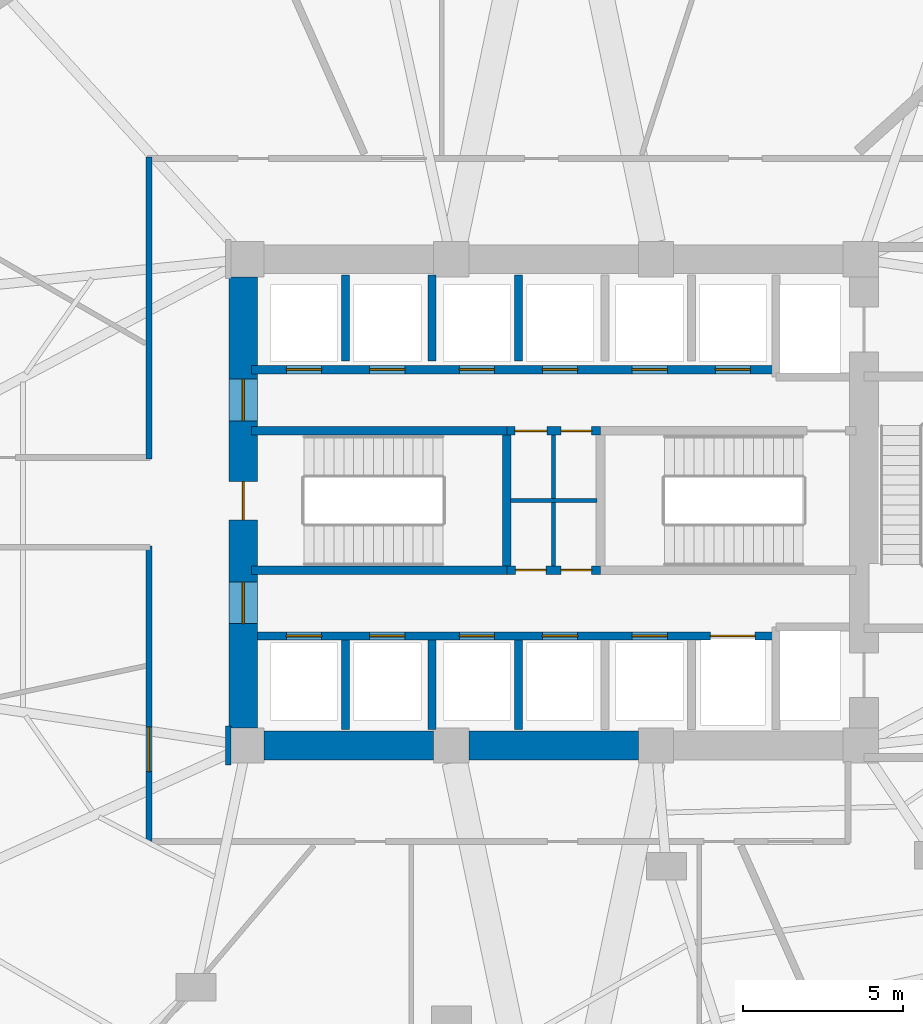
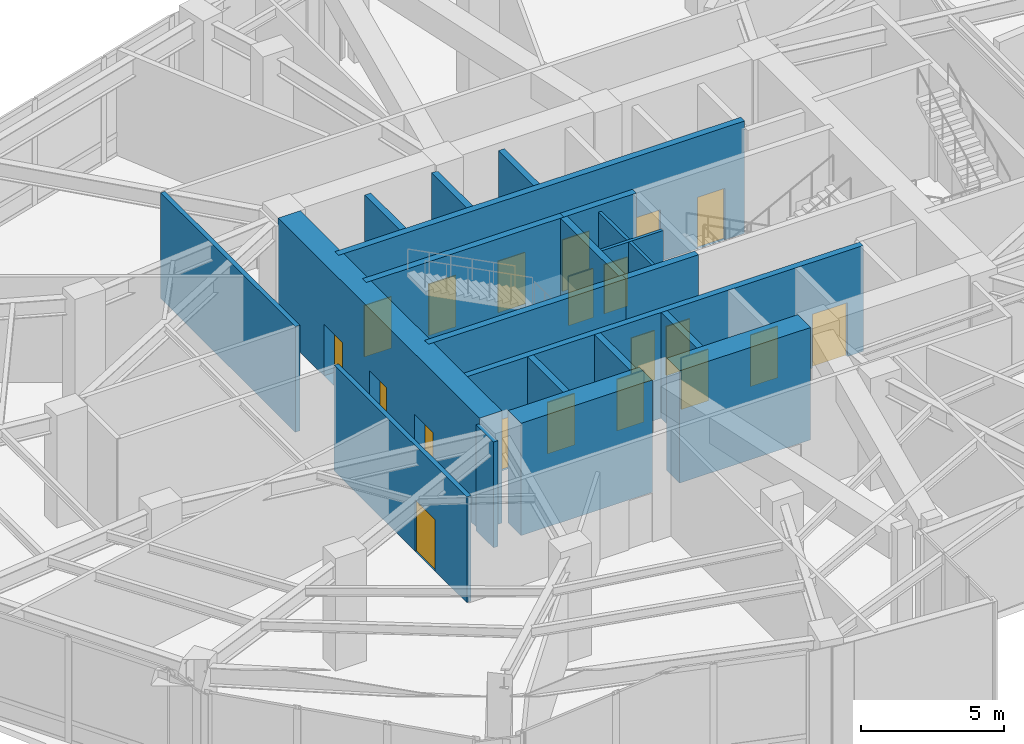
# One storey, part 21 of 24: 21 walls, 20 doors, 20 openings.
"""IFC4 building model written with IfcOpenShell, lengths in metres."""

import ifcopenshell
import ifcopenshell.guid

model = None  # the IFC model being written
_history = None  # IfcOwnerHistory: only IFC2X3 demands one
_inside = {}  # id of a spatial element -> (the spatial element, [elements in it])
_under = {}  # id of a project, library or spatial element -> (it, [spatial elements below it])
_declared = {}  # id of a project -> (the project, [libraries it declares])
_typed = {}  # id of a type object -> (the type object, [elements of that type])
_made_of = {}  # id of a material, layer set ... -> (it, [elements and type objects made of it])


def new_model(schema):
    """Start an empty IFC model of exactly this schema.

    Asked for "IFC4X3", IfcOpenShell would pick the latest addendum, in which some entities
    have other attributes; the version numbers below select the first issue.
    IFC2X3 requires an IfcOwnerHistory on every rooted entity: one is made here for all.
    """
    global model, _history
    if schema == "IFC4X3":
        model = ifcopenshell.file(schema_version=(4, 3, 0, 0))
    else:
        model = ifcopenshell.file(schema=schema)
    _inside.clear()
    _under.clear()
    _declared.clear()
    _typed.clear()
    _made_of.clear()
    _history = None
    if model.schema == "IFC2X3":
        org = make("IfcOrganization", Name="unknown")
        user = make(
            "IfcPersonAndOrganization",
            ThePerson=make("IfcPerson", FamilyName="unknown"),
            TheOrganization=org,
        )
        app = make(
            "IfcApplication",
            ApplicationDeveloper=org,
            Version="unknown",
            ApplicationFullName="unknown",
            ApplicationIdentifier="unknown",
        )
        _history = make(
            "IfcOwnerHistory",
            OwningUser=user,
            OwningApplication=app,
            ChangeAction="ADDED",
            CreationDate=0,
        )
    return model


def make(cls, **values):
    """One entity of the class cls with the attributes given. An attribute that is None is left unset."""
    return model.create_entity(
        cls, **{name: value for name, value in values.items() if value is not None}
    )


def rooted(cls, **values):
    """An entity with a GlobalId (a new one), such as an element, a storey or a relation."""
    return make(cls, GlobalId=ifcopenshell.guid.new(), OwnerHistory=_history, **values)


def si_unit(unit_type, name, prefix=None):
    """IfcSIUnit, for example si_unit("LENGTHUNIT", "METRE", prefix="MILLI")."""
    return make("IfcSIUnit", UnitType=unit_type, Prefix=prefix, Name=name)


def assignment(units):
    """IfcUnitAssignment: the units of a project."""
    return None if units is None else make("IfcUnitAssignment", Units=units)


def point(xyz):
    """IfcCartesianPoint."""
    return None if xyz is None else make("IfcCartesianPoint", Coordinates=xyz)


def direction(xyz):
    """IfcDirection."""
    return None if xyz is None else make("IfcDirection", DirectionRatios=xyz)


def frame(location, z_axis=None, x_axis=None):
    """IfcAxis2Placement3D, a coordinate frame: its origin and axes. An axis left out is left unset."""
    return make(
        "IfcAxis2Placement3D",
        Location=point(location),
        Axis=direction(z_axis),
        RefDirection=direction(x_axis),
    )


def frame_2d(location, x_axis=None):
    """IfcAxis2Placement2D, a coordinate frame in the plane: its origin and x axis."""
    return make(
        "IfcAxis2Placement2D", Location=point(location), RefDirection=direction(x_axis)
    )


def origin():
    """The frame at (0, 0, 0) with its axes left unset."""
    return frame((0.0, 0.0, 0.0))


def place(relative_to, where):
    """IfcLocalPlacement: puts the frame where relative to a parent placement (None: the world)."""
    return make(
        "IfcLocalPlacement", PlacementRelTo=relative_to, RelativePlacement=where
    )


def context(
    kind, dimensions, precision=None, world=None, true_north=None, identifier=None
):
    """IfcGeometricRepresentationContext, for example the 3D "Model" context."""
    return make(
        "IfcGeometricRepresentationContext",
        ContextIdentifier=identifier,
        ContextType=kind,
        CoordinateSpaceDimension=dimensions,
        Precision=precision,
        WorldCoordinateSystem=world,
        TrueNorth=true_north,
    )


def subcontext(parent, identifier, kind, view, scale=None):
    """IfcGeometricRepresentationSubContext, for example "Body" below "Model"."""
    return make(
        "IfcGeometricRepresentationSubContext",
        ContextIdentifier=identifier,
        ContextType=kind,
        ParentContext=parent,
        TargetScale=scale,
        TargetView=view,
    )


def project(units=None, contexts=None):
    """IfcProject with its units and contexts."""
    return rooted(
        "IfcProject",
        Name="project",
        RepresentationContexts=contexts,
        UnitsInContext=assignment(units),
    )


def spatial(cls, under=None, at=None, **own):
    """A site, building, storey or space (cls), placed at a placement, below another one or the project."""
    s = rooted(cls, ObjectPlacement=at, **own)
    if under is not None:
        _under.setdefault(under.id(), (under, []))[1].append(s)
    return s


def profile(cls, at=None, kind="AREA", **sizes):
    """A parametric profile (cls). Its sizes go by their IFC names, for example OverallWidth=200.0."""
    return make(cls, ProfileType=kind, Position=at, **sizes)


def rectangle(**sizes):
    """IfcRectangleProfileDef."""
    return profile("IfcRectangleProfileDef", **sizes)


def extrude(swept, where, along, depth):
    """IfcExtrudedAreaSolid: the profile swept, set in the frame where, extruded along a direction by depth."""
    return make(
        "IfcExtrudedAreaSolid",
        SweptArea=swept,
        Position=where,
        ExtrudedDirection=direction(along),
        Depth=depth,
    )


def shape(context_of_items, identifier, shape_type, items):
    """IfcShapeRepresentation: the items that make up one representation, for example the "Body"."""
    return make(
        "IfcShapeRepresentation",
        ContextOfItems=context_of_items,
        RepresentationIdentifier=identifier,
        RepresentationType=shape_type,
        Items=items,
    )


def material(Name=None, Category=None):
    """IfcMaterial."""
    return make("IfcMaterial", Name=Name, Category=Category)


def layer(
    of_material, thickness, ventilated=None, Name=None, Category=None, Priority=None
):
    """IfcMaterialLayer: one layer of a wall or slab, of a material (None: an air gap)."""
    return make(
        "IfcMaterialLayer",
        Material=of_material,
        LayerThickness=thickness,
        IsVentilated=ventilated,
        Name=Name,
        Category=Category,
        Priority=Priority,
    )


def layer_set(layers, Name=None):
    """IfcMaterialLayerSet."""
    return make("IfcMaterialLayerSet", MaterialLayers=layers, LayerSetName=Name)


def made_of(thing, what):
    """Note that an element or type object is made of a material, layer set ...; save() writes the relation."""
    if what is not None:
        _made_of.setdefault(what.id(), (what, []))[1].append(thing)
    return thing


def type_object(cls, material=None, **own):
    """A type object (cls), such as IfcWallType, which elements share."""
    return made_of(rooted(cls, **own), material)


def element(
    cls,
    number,
    at=None,
    inside=None,
    cuts=None,
    type_object=None,
    material=None,
    context=None,
    identifier="Body",
    shape_type=None,
    held_by="IfcProductDefinitionShape",
    body=None,
    shapes=None,
    **own,
):
    """One element of the class cls, such as IfcWall. Its Tag is "e" and its number.

    at: its placement. inside: the storey or other place that contains it. cuts: it is an
    opening in that element (IfcRelVoidsElement). A single representation is given by context,
    identifier, shape_type and body (its items); several are given by shapes. held_by: the class
    of the entity that holds the representations. save() writes the other relations.
    """
    e = rooted(cls, Tag="e%d" % number, ObjectPlacement=at, **own)
    if body is not None:
        shapes = [shape(context, identifier, shape_type, body)]
    if shapes is not None:
        e.Representation = make(held_by, Representations=shapes)
    if inside is not None:
        _inside.setdefault(inside.id(), (inside, []))[1].append(e)
    if cuts is not None:
        rooted(
            "IfcRelVoidsElement", RelatingBuildingElement=cuts, RelatedOpeningElement=e
        )
    if type_object is not None:
        _typed.setdefault(type_object.id(), (type_object, []))[1].append(e)
    return made_of(e, material)


def fill(opening, filler):
    """IfcRelFillsElement: the door or window that sits in an opening."""
    return rooted(
        "IfcRelFillsElement",
        RelatingOpeningElement=opening,
        RelatedBuildingElement=filler,
    )


def aggregate(whole, parts):
    """IfcRelAggregates: a whole, such as a stair, and the parts it consists of."""
    return rooted("IfcRelAggregates", RelatingObject=whole, RelatedObjects=parts)


def save(model, path):
    """Write the relations noted so far, then the file.

    IfcRelAggregates (storeys below a building ...), IfcRelContainedInSpatialStructure (elements
    in a storey), IfcRelDefinesByType, IfcRelAssociatesMaterial and IfcRelDeclares: one each for
    every whole, place, type object, material and project.
    """
    for whole, parts in _under.values():
        aggregate(whole, parts)
    for where, things in _inside.values():
        rooted(
            "IfcRelContainedInSpatialStructure",
            RelatedElements=things,
            RelatingStructure=where,
        )
    for kind, things in _typed.values():
        rooted("IfcRelDefinesByType", RelatedObjects=things, RelatingType=kind)
    for what, things in _made_of.values():
        rooted("IfcRelAssociatesMaterial", RelatedObjects=things, RelatingMaterial=what)
    for by, libraries in _declared.values():
        rooted("IfcRelDeclares", RelatingContext=by, RelatedDefinitions=libraries)
    model.write(path)


model = new_model("IFC4")

# Units and contexts
model_context = context("Model", 3, precision=1e-05, world=origin(), true_north=direction((0.0, 1.0)))
body_context = subcontext(model_context, "Body", "Model", "MODEL_VIEW")
ifc_project = project(units=[si_unit("LENGTHUNIT", "METRE"), si_unit("AREAUNIT", "SQUARE_METRE"), si_unit("VOLUMEUNIT", "CUBIC_METRE"), si_unit("PLANEANGLEUNIT", "RADIAN"), si_unit("MASSUNIT", "GRAM", prefix="KILO")], contexts=[model_context])

# Site, building, storey
site_placement = place(None, origin())
site = spatial("IfcSite", under=ifc_project, at=site_placement, CompositionType="ELEMENT")
building_placement = place(site_placement, origin())
building = spatial("IfcBuilding", under=site, at=building_placement, Name="Lazwardi Medical Tower", CompositionType="ELEMENT")
storey_placement = place(building_placement, frame((0.0, 0.0, 10.800048828125)))
storey = spatial("IfcBuildingStorey", under=building, at=storey_placement, Name="L02", CompositionType="ELEMENT", Elevation=10.800048828125)

# Walls
ifc_material_1 = material(Name="Fire-rated gypsum board on steel stud", Category="steel")
ifc_layer_1 = layer(ifc_material_1, 0.179931640625)
ifc_layer_set_1 = layer_set([ifc_layer_1], Name="Fire-rated gypsum board on steel stud")
wall_type_1 = type_object("IfcWallType", Name="WL-COR-180", PredefinedType="PARTITIONING", material=ifc_layer_set_1)
wall_1_placement = place(storey_placement, frame((23.35009765625, 29.360107421875, 0.0), z_axis=(0.0, 0.0, 1.0), x_axis=(0.0, 1.0, 0.0)))
element("IfcWall", 1, at=wall_1_placement, inside=storey, type_object=wall_type_1, Name="L02 Corridor partition 3", PredefinedType="PARTITIONING", context=body_context, shape_type="SweptSolid", body=[
    extrude(rectangle(XDim=9.429931640625, YDim=0.179931640625, at=frame_2d((4.71484375, 0.0))), origin(), (0.0, 0.0, 1.0), 4.52001953125),
])
wall_2_placement = place(storey_placement, frame((25.830078125, 21.010009765625, 0.0), z_axis=(0.0, 0.0, 1.0), x_axis=(0.0, -1.0, 0.0)))
element("IfcWall", 2, at=wall_2_placement, inside=storey, type_object=wall_type_1, Name="L02 Corridor partition 12", PredefinedType="PARTITIONING", context=body_context, shape_type="SweptSolid", body=[
    extrude(rectangle(XDim=1.219970703125, YDim=0.179931640625, at=frame_2d((0.60986328125, 0.0))), origin(), (0.0, 0.0, 1.0), 4.52001953125),
])

# Wall, opening, door
wall_3_placement = place(storey_placement, frame((23.35009765625, 17.360107421875, 0.0), z_axis=(0.0, 0.0, 1.0), x_axis=(0.0, 1.0, 0.0)))
wall_3 = element("IfcWall", 3, at=wall_3_placement, inside=storey, type_object=wall_type_1, Name="L02 Corridor partition 15", PredefinedType="PARTITIONING", context=body_context, shape_type="SweptSolid", body=[
    extrude(rectangle(XDim=9.27978515625, YDim=0.179931640625, at=frame_2d((4.639892578125, 0.0))), origin(), (0.0, 0.0, 1.0), 4.52001953125),
])
opening_1_placement = place(wall_3_placement, frame((2.2236328125, 0.0, 0.0)))
opening_1 = element("IfcOpeningElement", 4, at=opening_1_placement, cuts=wall_3, Name="Opening D-L02-009", PredefinedType="OPENING", context=body_context, shape_type="SweptSolid", body=[
    extrude(rectangle(XDim=1.39990234375, YDim=2.199951171875, at=frame_2d((0.699951171875, 1.10009765625))), frame((0.0, 0.099853515625, 0.0), z_axis=(0.0, -1.0, 0.0), x_axis=(1.0, 0.0, 0.0)), (0.0, 0.0, 1.0), 0.199951171875),
])
ifc_material_2 = material(Name="Anti-microbial laminate hospital leaf")
door_type_1 = type_object("IfcDoorType", Name="DR-BED-1400", OperationType="NOTDEFINED", PredefinedType="DOOR", material=ifc_material_2)
door_1_placement = place(opening_1_placement, origin())
door_1 = element("IfcDoor", 5, at=door_1_placement, inside=storey, type_object=door_type_1, Name="L02 Emergency Trauma Resuscitation Door 01", OperationType="SINGLE_SWING_LEFT", OverallHeight=2.199951171875, OverallWidth=1.39990234375, PredefinedType="DOOR", context=body_context, shape_type="SweptSolid", body=[
    extrude(rectangle(XDim=1.39990234375, YDim=2.199951171875, at=frame_2d((0.699951171875, 1.10009765625))), frame((0.0, 0.02490234375, 0.0), z_axis=(0.0, -1.0, 0.0), x_axis=(1.0, 0.0, 0.0)), (0.0, 0.0, 1.0), 0.050048828125),
])
fill(opening_1, door_1)

# Wall, openings, doors
ifc_material_3 = material(Name="Concrete C80/95", Category="concrete")
ifc_layer_2 = layer(ifc_material_3, 0.89990234375)
ifc_layer_set_2 = layer_set([ifc_layer_2], Name="Concrete C80/95")
wall_type_2 = type_object("IfcWallType", Name="WL-CORE-900", PredefinedType="SHEAR", material=ifc_layer_set_2)
wall_4_placement = place(storey_placement, frame((26.300048828125, 20.949951171875, 0.0), z_axis=(0.0, 0.0, 1.0), x_axis=(0.0, 1.0, 0.0)))
wall_4 = element("IfcWall", 6, at=wall_4_placement, inside=storey, type_object=wall_type_2, Name="Core wall CW-S1 west L02", PredefinedType="SHEAR", context=body_context, shape_type="SweptSolid", body=[
    extrude(rectangle(XDim=14.10009765625, YDim=0.89990234375, at=frame_2d((7.050048828125, 0.0))), origin(), (0.0, 0.0, 1.0), 4.800048828125),
])
opening_2_placement = place(wall_4_placement, frame((6.5, 0.0, 0.0)))
opening_2 = element("IfcOpeningElement", 7, at=opening_2_placement, cuts=wall_4, Name="Opening D-L02-021", PredefinedType="OPENING", context=body_context, shape_type="SweptSolid", body=[
    extrude(rectangle(XDim=1.199951171875, YDim=2.14990234375, at=frame_2d((0.60009765625, 1.074951171875))), frame((0.0, 0.4599609375, 0.0), z_axis=(0.0, -1.0, 0.0), x_axis=(1.0, 0.0, 0.0)), (0.0, 0.0, 1.0), 0.919921875),
])
opening_3_placement = place(wall_4_placement, frame((9.60009765625, 0.0, 0.0)))
opening_3 = element("IfcOpeningElement", 8, at=opening_3_placement, cuts=wall_4, Name="Opening D-L02-007", PredefinedType="OPENING", context=body_context, shape_type="SweptSolid", body=[
    extrude(rectangle(XDim=1.300048828125, YDim=2.199951171875, at=frame_2d((0.64990234375, 1.10009765625))), frame((0.0, 0.4599609375, 0.0), z_axis=(0.0, -1.0, 0.0), x_axis=(1.0, 0.0, 0.0)), (0.0, 0.0, 1.0), 0.919921875),
])
opening_4_placement = place(wall_4_placement, frame((3.260009765625, 0.0, 0.0)))
opening_4 = element("IfcOpeningElement", 9, at=opening_4_placement, cuts=wall_4, Name="Opening D-L02-008", PredefinedType="OPENING", context=body_context, shape_type="SweptSolid", body=[
    extrude(rectangle(XDim=1.300048828125, YDim=2.199951171875, at=frame_2d((0.64990234375, 1.10009765625))), frame((0.0, 0.4599609375, 0.0), z_axis=(0.0, -1.0, 0.0), x_axis=(1.0, 0.0, 0.0)), (0.0, 0.0, 1.0), 0.919921875),
])
ifc_material_4 = material(Name="Fire-rated steel leaf and frame", Category="steel")
door_type_2 = type_object("IfcDoorType", Name="DR-FFL-1300", OperationType="NOTDEFINED", PredefinedType="DOOR", material=ifc_material_4)
door_2_placement = place(opening_3_placement, origin())
door_2 = element("IfcDoor", 10, at=door_2_placement, inside=storey, type_object=door_type_2, Name="L02 North Lift Lobby Door", OperationType="SINGLE_SWING_RIGHT", OverallHeight=2.199951171875, OverallWidth=1.300048828125, PredefinedType="DOOR", context=body_context, shape_type="SweptSolid", body=[
    extrude(rectangle(XDim=1.300048828125, YDim=2.199951171875, at=frame_2d((0.64990234375, 1.10009765625))), frame((0.0, 0.02490234375, 0.0), z_axis=(0.0, -1.0, 0.0), x_axis=(1.0, 0.0, 0.0)), (0.0, 0.0, 1.0), 0.050048828125),
])
fill(opening_3, door_2)
door_3_placement = place(opening_4_placement, origin())
door_3 = element("IfcDoor", 11, at=door_3_placement, inside=storey, type_object=door_type_2, Name="L02 South Lift Lobby Door", OperationType="SINGLE_SWING_LEFT", OverallHeight=2.199951171875, OverallWidth=1.300048828125, PredefinedType="DOOR", context=body_context, shape_type="SweptSolid", body=[
    extrude(rectangle(XDim=1.300048828125, YDim=2.199951171875, at=frame_2d((0.64990234375, 1.10009765625))), frame((0.0, 0.02490234375, 0.0), z_axis=(0.0, -1.0, 0.0), x_axis=(1.0, 0.0, 0.0)), (0.0, 0.0, 1.0), 0.050048828125),
])
fill(opening_4, door_3)
door_type_3 = type_object("IfcDoorType", Name="DR-STR-1200", OperationType="NOTDEFINED", PredefinedType="DOOR", material=ifc_material_4)
door_4_placement = place(opening_2_placement, origin())
door_4 = element("IfcDoor", 12, at=door_4_placement, inside=storey, type_object=door_type_3, Name="L02 Exit Stair ST1 Door", OperationType="SINGLE_SWING_RIGHT", OverallHeight=2.14990234375, OverallWidth=1.199951171875, PredefinedType="DOOR", context=body_context, shape_type="SweptSolid", body=[
    extrude(rectangle(XDim=1.199951171875, YDim=2.14990234375, at=frame_2d((0.60009765625, 1.074951171875))), frame((0.0, 0.02490234375, 0.0), z_axis=(0.0, -1.0, 0.0), x_axis=(1.0, 0.0, 0.0)), (0.0, 0.0, 1.0), 0.050048828125),
])
fill(opening_2, door_4)

# Walls
wall_5_placement = place(storey_placement, frame((26.949951171875, 20.39990234375, 0.0), z_axis=(0.0, 0.0, 1.0), x_axis=(1.0, 0.0, 0.0)))
element("IfcWall", 13, at=wall_5_placement, inside=storey, type_object=wall_type_2, Name="Core wall CW-S1 S1 L02", PredefinedType="SHEAR", context=body_context, shape_type="SweptSolid", body=[
    extrude(rectangle(XDim=5.300048828125, YDim=0.89990234375, at=frame_2d((2.64990234375, 0.0))), origin(), (0.0, 0.0, 1.0), 4.800048828125),
])
wall_6_placement = place(storey_placement, frame((33.35009765625, 20.39990234375, 0.0), z_axis=(0.0, 0.0, 1.0), x_axis=(1.0, 0.0, 0.0)))
element("IfcWall", 14, at=wall_6_placement, inside=storey, type_object=wall_type_2, Name="Core wall CW-S1 S2 L02", PredefinedType="SHEAR", context=body_context, shape_type="SweptSolid", body=[
    extrude(rectangle(XDim=5.2998046875, YDim=0.89990234375, at=frame_2d((2.64990234375, 0.0))), origin(), (0.0, 0.0, 1.0), 4.800048828125),
])
ifc_material_5 = material(Name="Moisture-resistant gypsum board partition")
ifc_layer_3 = layer(ifc_material_5, 0.125)
ifc_layer_set_3 = layer_set([ifc_layer_3], Name="Moisture-resistant gypsum board partition")
wall_type_3 = type_object("IfcWallType", Name="WL-ENS-125", PredefinedType="PARTITIONING", material=ifc_layer_set_3)
wall_7_placement = place(storey_placement, frame((34.64990234375, 28.06005859375, 0.0), z_axis=(0.0, 0.0, 1.0), x_axis=(1.0, 0.0, 0.0)))
element("IfcWall", 15, at=wall_7_placement, inside=storey, type_object=wall_type_3, Name="L02 Core 4-way H divider", PredefinedType="PARTITIONING", context=body_context, shape_type="SweptSolid", body=[
    extrude(rectangle(XDim=2.7001953125, YDim=0.125, at=frame_2d((1.35009765625, 0.0))), origin(), (0.0, 0.0, 1.0), 4.52001953125),
])
wall_8_placement = place(storey_placement, frame((36.0, 26.02001953125, 0.0), z_axis=(0.0, 0.0, 1.0), x_axis=(0.0, 1.0, 0.0)))
element("IfcWall", 16, at=wall_8_placement, inside=storey, type_object=wall_type_3, Name="L02 Core 4-way V divider", PredefinedType="PARTITIONING", context=body_context, shape_type="SweptSolid", body=[
    extrude(rectangle(XDim=4.080078125, YDim=0.125, at=frame_2d((2.0400390625, 0.0))), origin(), (0.0, 0.0, 1.0), 4.52001953125),
])

# Wall, openings, doors
ifc_material_6 = material(Name="Autoclaved aerated concrete blockwork", Category="masonry")
ifc_layer_4 = layer(ifc_material_6, 0.25)
ifc_layer_set_4 = layer_set([ifc_layer_4], Name="Autoclaved aerated concrete blockwork")
wall_type_4 = type_object("IfcWallType", Name="WL-SHAFT-250", PredefinedType="SOLIDWALL", material=ifc_layer_set_4)
wall_9_placement = place(storey_placement, frame((26.75, 23.830078125, 0.0), z_axis=(0.0, 0.0, 1.0), x_axis=(1.0, 0.0, 0.0)))
wall_9 = element("IfcWall", 17, at=wall_9_placement, inside=storey, type_object=wall_type_4, Name="L02 South lift bank front wall", PredefinedType="SOLIDWALL", context=body_context, shape_type="SweptSolid", body=[
    extrude(rectangle(XDim=16.199951171875, YDim=0.25, at=frame_2d((8.10009765625, 0.0))), origin(), (0.0, 0.0, 1.0), 4.52001953125),
])
opening_5_placement = place(wall_9_placement, frame((0.89990234375, 0.0, 0.0)))
opening_5 = element("IfcOpeningElement", 18, at=opening_5_placement, cuts=wall_9, Name="Opening LD-L02-006", PredefinedType="OPENING", context=body_context, shape_type="SweptSolid", body=[
    extrude(rectangle(XDim=1.10009765625, YDim=2.199951171875, at=frame_2d((0.550048828125, 1.10009765625))), frame((0.0, 0.135009765625, 0.0), z_axis=(0.0, -1.0, 0.0), x_axis=(1.0, 0.0, 0.0)), (0.0, 0.0, 1.0), 0.27001953125),
])
opening_6_placement = place(wall_9_placement, frame((3.5, 0.0, 0.0)))
opening_6 = element("IfcOpeningElement", 19, at=opening_6_placement, cuts=wall_9, Name="Opening LD-L02-007", PredefinedType="OPENING", context=body_context, shape_type="SweptSolid", body=[
    extrude(rectangle(XDim=1.10009765625, YDim=2.199951171875, at=frame_2d((0.550048828125, 1.10009765625))), frame((0.0, 0.135009765625, 0.0), z_axis=(0.0, -1.0, 0.0), x_axis=(1.0, 0.0, 0.0)), (0.0, 0.0, 1.0), 0.27001953125),
])
opening_7_placement = place(wall_9_placement, frame((6.300048828125, 0.0, 0.0)))
opening_7 = element("IfcOpeningElement", 20, at=opening_7_placement, cuts=wall_9, Name="Opening LD-L02-010", PredefinedType="OPENING", context=body_context, shape_type="SweptSolid", body=[
    extrude(rectangle(XDim=1.10009765625, YDim=2.199951171875, at=frame_2d((0.550048828125, 1.10009765625))), frame((0.0, 0.135009765625, 0.0), z_axis=(0.0, -1.0, 0.0), x_axis=(1.0, 0.0, 0.0)), (0.0, 0.0, 1.0), 0.27001953125),
])
opening_8_placement = place(wall_9_placement, frame((8.89990234375, 0.0, 0.0)))
opening_8 = element("IfcOpeningElement", 21, at=opening_8_placement, cuts=wall_9, Name="Opening LD-L02-011", PredefinedType="OPENING", context=body_context, shape_type="SweptSolid", body=[
    extrude(rectangle(XDim=1.10009765625, YDim=2.199951171875, at=frame_2d((0.550048828125, 1.10009765625))), frame((0.0, 0.135009765625, 0.0), z_axis=(0.0, -1.0, 0.0), x_axis=(1.0, 0.0, 0.0)), (0.0, 0.0, 1.0), 0.27001953125),
])
opening_9_placement = place(wall_9_placement, frame((11.699951171875, 0.0, 0.0)))
opening_9 = element("IfcOpeningElement", 22, at=opening_9_placement, cuts=wall_9, Name="Opening LD-L02-014", PredefinedType="OPENING", context=body_context, shape_type="SweptSolid", body=[
    extrude(rectangle(XDim=1.10009765625, YDim=2.199951171875, at=frame_2d((0.550048828125, 1.10009765625))), frame((0.0, 0.135009765625, 0.0), z_axis=(0.0, -1.0, 0.0), x_axis=(1.0, 0.0, 0.0)), (0.0, 0.0, 1.0), 0.27001953125),
])
opening_10_placement = place(wall_9_placement, frame((14.14990234375, 0.0, 0.0)))
opening_10 = element("IfcOpeningElement", 23, at=opening_10_placement, cuts=wall_9, Name="Opening LD-L02-003", PredefinedType="OPENING", context=body_context, shape_type="SweptSolid", body=[
    extrude(rectangle(XDim=1.39990234375, YDim=2.300048828125, at=frame_2d((0.699951171875, 1.14990234375))), frame((0.0, 0.135009765625, 0.0), z_axis=(0.0, -1.0, 0.0), x_axis=(1.0, 0.0, 0.0)), (0.0, 0.0, 1.0), 0.27001953125),
])
ifc_material_7 = material(Name="Brushed bronze stainless steel landing door", Category="steel")
door_type_4 = type_object("IfcDoorType", Name="DR-LFT-1100", OperationType="NOTDEFINED", PredefinedType="DOOR", material=ifc_material_7)
door_5_placement = place(opening_5_placement, origin())
door_5 = element("IfcDoor", 24, at=door_5_placement, inside=storey, type_object=door_type_4, Name="L02 Lift Landing Door PL-03", OperationType="SLIDING_TO_LEFT", OverallHeight=2.199951171875, OverallWidth=1.10009765625, PredefinedType="DOOR", context=body_context, shape_type="SweptSolid", body=[
    extrude(rectangle(XDim=1.10009765625, YDim=2.199951171875, at=frame_2d((0.550048828125, 1.10009765625))), frame((0.0, 0.02490234375, 0.0), z_axis=(0.0, -1.0, 0.0), x_axis=(1.0, 0.0, 0.0)), (0.0, 0.0, 1.0), 0.050048828125),
])
fill(opening_5, door_5)
door_6_placement = place(opening_6_placement, origin())
door_6 = element("IfcDoor", 25, at=door_6_placement, inside=storey, type_object=door_type_4, Name="L02 Lift Landing Door PL-04", OperationType="SLIDING_TO_LEFT", OverallHeight=2.199951171875, OverallWidth=1.10009765625, PredefinedType="DOOR", context=body_context, shape_type="SweptSolid", body=[
    extrude(rectangle(XDim=1.10009765625, YDim=2.199951171875, at=frame_2d((0.550048828125, 1.10009765625))), frame((0.0, 0.02490234375, 0.0), z_axis=(0.0, -1.0, 0.0), x_axis=(1.0, 0.0, 0.0)), (0.0, 0.0, 1.0), 0.050048828125),
])
fill(opening_6, door_6)
door_7_placement = place(opening_7_placement, origin())
door_7 = element("IfcDoor", 26, at=door_7_placement, inside=storey, type_object=door_type_4, Name="L02 Lift Landing Door PL-07", OperationType="SLIDING_TO_LEFT", OverallHeight=2.199951171875, OverallWidth=1.10009765625, PredefinedType="DOOR", context=body_context, shape_type="SweptSolid", body=[
    extrude(rectangle(XDim=1.10009765625, YDim=2.199951171875, at=frame_2d((0.550048828125, 1.10009765625))), frame((0.0, 0.02490234375, 0.0), z_axis=(0.0, -1.0, 0.0), x_axis=(1.0, 0.0, 0.0)), (0.0, 0.0, 1.0), 0.050048828125),
])
fill(opening_7, door_7)
door_8_placement = place(opening_8_placement, origin())
door_8 = element("IfcDoor", 27, at=door_8_placement, inside=storey, type_object=door_type_4, Name="L02 Lift Landing Door PL-08", OperationType="SLIDING_TO_LEFT", OverallHeight=2.199951171875, OverallWidth=1.10009765625, PredefinedType="DOOR", context=body_context, shape_type="SweptSolid", body=[
    extrude(rectangle(XDim=1.10009765625, YDim=2.199951171875, at=frame_2d((0.550048828125, 1.10009765625))), frame((0.0, 0.02490234375, 0.0), z_axis=(0.0, -1.0, 0.0), x_axis=(1.0, 0.0, 0.0)), (0.0, 0.0, 1.0), 0.050048828125),
])
fill(opening_8, door_8)
door_9_placement = place(opening_9_placement, origin())
door_9 = element("IfcDoor", 28, at=door_9_placement, inside=storey, type_object=door_type_4, Name="L02 Lift Landing Door PL-11", OperationType="SLIDING_TO_LEFT", OverallHeight=2.199951171875, OverallWidth=1.10009765625, PredefinedType="DOOR", context=body_context, shape_type="SweptSolid", body=[
    extrude(rectangle(XDim=1.10009765625, YDim=2.199951171875, at=frame_2d((0.550048828125, 1.10009765625))), frame((0.0, 0.02490234375, 0.0), z_axis=(0.0, -1.0, 0.0), x_axis=(1.0, 0.0, 0.0)), (0.0, 0.0, 1.0), 0.050048828125),
])
fill(opening_9, door_9)
ifc_material_8 = material(Name="Brushed stainless steel bed-lift landing door", Category="steel")
door_type_5 = type_object("IfcDoorType", Name="DR-LFT-1400", OperationType="NOTDEFINED", PredefinedType="DOOR", material=ifc_material_8)
door_10_placement = place(opening_10_placement, origin())
door_10 = element("IfcDoor", 29, at=door_10_placement, inside=storey, type_object=door_type_5, Name="L02 Lift Landing Door FL-03", OperationType="SLIDING_TO_LEFT", OverallHeight=2.300048828125, OverallWidth=1.39990234375, PredefinedType="DOOR", context=body_context, shape_type="SweptSolid", body=[
    extrude(rectangle(XDim=1.39990234375, YDim=2.300048828125, at=frame_2d((0.699951171875, 1.14990234375))), frame((0.0, 0.02490234375, 0.0), z_axis=(0.0, -1.0, 0.0), x_axis=(1.0, 0.0, 0.0)), (0.0, 0.0, 1.0), 0.050048828125),
])
fill(opening_10, door_10)

# Walls
wall_10_placement = place(storey_placement, frame((29.5, 32.419921875, 0.0), z_axis=(0.0, 0.0, 1.0), x_axis=(0.0, 1.0, 0.0)))
element("IfcWall", 30, at=wall_10_placement, inside=storey, type_object=wall_type_4, Name="L02 North hoistway divider", PredefinedType="SOLIDWALL", context=body_context, shape_type="SweptSolid", body=[
    extrude(rectangle(XDim=2.68017578125, YDim=0.25, at=frame_2d((1.340087890625, 0.0))), origin(), (0.0, 0.0, 1.0), 4.52001953125),
])
wall_11_placement = place(storey_placement, frame((29.5, 20.89990234375, 0.0), z_axis=(0.0, 0.0, 1.0), x_axis=(0.0, 1.0, 0.0)))
element("IfcWall", 31, at=wall_11_placement, inside=storey, type_object=wall_type_4, Name="L02 South hoistway divider", PredefinedType="SOLIDWALL", context=body_context, shape_type="SweptSolid", body=[
    extrude(rectangle(XDim=2.800048828125, YDim=0.25, at=frame_2d((1.39990234375, 0.0))), origin(), (0.0, 0.0, 1.0), 4.52001953125),
])
wall_12_placement = place(storey_placement, frame((32.199951171875, 32.419921875, 0.0), z_axis=(0.0, 0.0, 1.0), x_axis=(0.0, 1.0, 0.0)))
element("IfcWall", 32, at=wall_12_placement, inside=storey, type_object=wall_type_4, Name="L02 North hoistway divider", PredefinedType="SOLIDWALL", context=body_context, shape_type="SweptSolid", body=[
    extrude(rectangle(XDim=2.68017578125, YDim=0.25, at=frame_2d((1.340087890625, 0.0))), origin(), (0.0, 0.0, 1.0), 4.52001953125),
])
wall_13_placement = place(storey_placement, frame((32.199951171875, 20.89990234375, 0.0), z_axis=(0.0, 0.0, 1.0), x_axis=(0.0, 1.0, 0.0)))
element("IfcWall", 33, at=wall_13_placement, inside=storey, type_object=wall_type_4, Name="L02 South hoistway divider", PredefinedType="SOLIDWALL", context=body_context, shape_type="SweptSolid", body=[
    extrude(rectangle(XDim=2.800048828125, YDim=0.25, at=frame_2d((1.39990234375, 0.0))), origin(), (0.0, 0.0, 1.0), 4.52001953125),
])
wall_14_placement = place(storey_placement, frame((34.89990234375, 32.419921875, 0.0), z_axis=(0.0, 0.0, 1.0), x_axis=(0.0, 1.0, 0.0)))
element("IfcWall", 34, at=wall_14_placement, inside=storey, type_object=wall_type_4, Name="L02 North hoistway divider", PredefinedType="SOLIDWALL", context=body_context, shape_type="SweptSolid", body=[
    extrude(rectangle(XDim=2.68017578125, YDim=0.25, at=frame_2d((1.340087890625, 0.0))), origin(), (0.0, 0.0, 1.0), 4.52001953125),
])
wall_15_placement = place(storey_placement, frame((34.89990234375, 20.89990234375, 0.0), z_axis=(0.0, 0.0, 1.0), x_axis=(0.0, 1.0, 0.0)))
element("IfcWall", 35, at=wall_15_placement, inside=storey, type_object=wall_type_4, Name="L02 South hoistway divider", PredefinedType="SOLIDWALL", context=body_context, shape_type="SweptSolid", body=[
    extrude(rectangle(XDim=2.800048828125, YDim=0.25, at=frame_2d((1.39990234375, 0.0))), origin(), (0.0, 0.0, 1.0), 4.52001953125),
])
ifc_material_9 = material(Name="Concrete C50/60", Category="concrete")
ifc_layer_5 = layer(ifc_material_9, 0.27001953125)
ifc_layer_set_5 = layer_set([ifc_layer_5], Name="Concrete C50/60")
wall_type_5 = type_object("IfcWallType", Name="WL-STR-250", PredefinedType="SHEAR", material=ifc_layer_set_5)
wall_16_placement = place(storey_placement, frame((26.550048828125, 30.235107421875, 0.0), z_axis=(0.0, 0.0, 1.0), x_axis=(1.0, 0.0, 0.0)))
element("IfcWall", 36, at=wall_16_placement, inside=storey, type_object=wall_type_5, Name="L02 ST1 North shear shaft wall SW-S1", PredefinedType="SHEAR", context=body_context, shape_type="SweptSolid", body=[
    extrude(rectangle(XDim=7.98486328125, YDim=0.27001953125, at=frame_2d((3.992431640625, 0.0))), origin(), (0.0, 0.0, 1.0), 4.800048828125),
])

# Wall, openings, doors
wall_17_placement = place(storey_placement, frame((34.534912109375, 30.235107421875, 0.0), z_axis=(0.0, 0.0, 1.0), x_axis=(1.0, 0.0, 0.0)))
wall_17 = element("IfcWall", 37, at=wall_17_placement, inside=storey, type_object=wall_type_5, Name="L02 Core service North shear wall SW-S1", PredefinedType="SHEAR", context=body_context, shape_type="SweptSolid", body=[
    extrude(rectangle(XDim=2.93017578125, YDim=0.27001953125, at=frame_2d((1.465087890625, 0.0))), origin(), (0.0, 0.0, 1.0), 4.800048828125),
])
opening_11_placement = place(wall_17_placement, frame((0.2548828125, 0.0, 0.0)))
opening_11 = element("IfcOpeningElement", 38, at=opening_11_placement, cuts=wall_17, Name="Opening D-L02-003", PredefinedType="OPENING", context=body_context, shape_type="SweptSolid", body=[
    extrude(rectangle(XDim=1.0, YDim=2.10009765625, at=frame_2d((0.5, 1.050048828125))), frame((0.0, 0.14501953125, 0.0), z_axis=(0.0, -1.0, 0.0), x_axis=(1.0, 0.0, 0.0)), (0.0, 0.0, 1.0), 0.2900390625),
])
opening_12_placement = place(wall_17_placement, frame((1.699951171875, 0.0, 0.0)))
opening_12 = element("IfcOpeningElement", 39, at=opening_12_placement, cuts=wall_17, Name="Opening D-L02-004", PredefinedType="OPENING", context=body_context, shape_type="SweptSolid", body=[
    extrude(rectangle(XDim=0.949951171875, YDim=2.10009765625, at=frame_2d((0.47509765625, 1.050048828125))), frame((0.0, 0.14501953125, 0.0), z_axis=(0.0, -1.0, 0.0), x_axis=(1.0, 0.0, 0.0)), (0.0, 0.0, 1.0), 0.2900390625),
])
ifc_material_10 = material(Name="Moisture-resistant laminate door leaf")
door_type_6 = type_object("IfcDoorType", Name="DR-AWC-1000", OperationType="NOTDEFINED", PredefinedType="DOOR", material=ifc_material_10)
door_11_placement = place(opening_11_placement, origin())
door_11 = element("IfcDoor", 40, at=door_11_placement, inside=storey, type_object=door_type_6, Name="L02 Accessible WC Door", OperationType="SINGLE_SWING_RIGHT", OverallHeight=2.10009765625, OverallWidth=1.0, PredefinedType="DOOR", context=body_context, shape_type="SweptSolid", body=[
    extrude(rectangle(XDim=1.0, YDim=2.10009765625, at=frame_2d((0.5, 1.050048828125))), frame((0.0, 0.02490234375, 0.0), z_axis=(0.0, -1.0, 0.0), x_axis=(1.0, 0.0, 0.0)), (0.0, 0.0, 1.0), 0.050048828125),
])
fill(opening_11, door_11)
door_type_7 = type_object("IfcDoorType", Name="DR-ENS-950", OperationType="NOTDEFINED", PredefinedType="DOOR", material=ifc_material_10)
door_12_placement = place(opening_12_placement, origin())
door_12 = element("IfcDoor", 41, at=door_12_placement, inside=storey, type_object=door_type_7, Name="L02 Clean Utility Door", OperationType="SINGLE_SWING_LEFT", OverallHeight=2.10009765625, OverallWidth=0.949951171875, PredefinedType="DOOR", context=body_context, shape_type="SweptSolid", body=[
    extrude(rectangle(XDim=0.949951171875, YDim=2.10009765625, at=frame_2d((0.47509765625, 1.050048828125))), frame((0.0, 0.02490234375, 0.0), z_axis=(0.0, -1.0, 0.0), x_axis=(1.0, 0.0, 0.0)), (0.0, 0.0, 1.0), 0.050048828125),
])
fill(opening_12, door_12)

# Wall
wall_18_placement = place(storey_placement, frame((26.550048828125, 25.885009765625, 0.0), z_axis=(0.0, 0.0, 1.0), x_axis=(1.0, 0.0, 0.0)))
element("IfcWall", 42, at=wall_18_placement, inside=storey, type_object=wall_type_5, Name="L02 ST1 South shear shaft wall SW-S1", PredefinedType="SHEAR", context=body_context, shape_type="SweptSolid", body=[
    extrude(rectangle(XDim=7.98486328125, YDim=0.27001953125, at=frame_2d((3.992431640625, 0.0))), origin(), (0.0, 0.0, 1.0), 4.800048828125),
])

# Wall, openings, doors
wall_19_placement = place(storey_placement, frame((34.534912109375, 25.885009765625, 0.0), z_axis=(0.0, 0.0, 1.0), x_axis=(1.0, 0.0, 0.0)))
wall_19 = element("IfcWall", 43, at=wall_19_placement, inside=storey, type_object=wall_type_5, Name="L02 Core service South shear wall SW-S1", PredefinedType="SHEAR", context=body_context, shape_type="SweptSolid", body=[
    extrude(rectangle(XDim=2.93017578125, YDim=0.27001953125, at=frame_2d((1.465087890625, 0.0))), origin(), (0.0, 0.0, 1.0), 4.800048828125),
])
opening_13_placement = place(wall_19_placement, frame((0.280029296875, 0.0, 0.0)))
opening_13 = element("IfcOpeningElement", 44, at=opening_13_placement, cuts=wall_19, Name="Opening D-L02-001", PredefinedType="OPENING", context=body_context, shape_type="SweptSolid", body=[
    extrude(rectangle(XDim=0.949951171875, YDim=2.10009765625, at=frame_2d((0.47509765625, 1.050048828125))), frame((0.0, 0.14501953125, 0.0), z_axis=(0.0, -1.0, 0.0), x_axis=(1.0, 0.0, 0.0)), (0.0, 0.0, 1.0), 0.2900390625),
])
opening_14_placement = place(wall_19_placement, frame((1.699951171875, 0.0, 0.0)))
opening_14 = element("IfcOpeningElement", 45, at=opening_14_placement, cuts=wall_19, Name="Opening D-L02-002", PredefinedType="OPENING", context=body_context, shape_type="SweptSolid", body=[
    extrude(rectangle(XDim=0.949951171875, YDim=2.10009765625, at=frame_2d((0.47509765625, 1.050048828125))), frame((0.0, 0.14501953125, 0.0), z_axis=(0.0, -1.0, 0.0), x_axis=(1.0, 0.0, 0.0)), (0.0, 0.0, 1.0), 0.2900390625),
])
door_13_placement = place(opening_13_placement, origin())
door_13 = element("IfcDoor", 46, at=door_13_placement, inside=storey, type_object=door_type_7, Name="L02 Staff WC Door", OperationType="SINGLE_SWING_RIGHT", OverallHeight=2.10009765625, OverallWidth=0.949951171875, PredefinedType="DOOR", context=body_context, shape_type="SweptSolid", body=[
    extrude(rectangle(XDim=0.949951171875, YDim=2.10009765625, at=frame_2d((0.47509765625, 1.050048828125))), frame((0.0, 0.02490234375, 0.0), z_axis=(0.0, -1.0, 0.0), x_axis=(1.0, 0.0, 0.0)), (0.0, 0.0, 1.0), 0.050048828125),
])
fill(opening_13, door_13)
door_14_placement = place(opening_14_placement, origin())
door_14 = element("IfcDoor", 47, at=door_14_placement, inside=storey, type_object=door_type_7, Name="L02 Comms Room Door", OperationType="SINGLE_SWING_LEFT", OverallHeight=2.10009765625, OverallWidth=0.949951171875, PredefinedType="DOOR", context=body_context, shape_type="SweptSolid", body=[
    extrude(rectangle(XDim=0.949951171875, YDim=2.10009765625, at=frame_2d((0.47509765625, 1.050048828125))), frame((0.0, 0.02490234375, 0.0), z_axis=(0.0, -1.0, 0.0), x_axis=(1.0, 0.0, 0.0)), (0.0, 0.0, 1.0), 0.050048828125),
])
fill(opening_14, door_14)

# Wall
wall_20_placement = place(storey_placement, frame((34.534912109375, 26.02001953125, 0.0), z_axis=(0.0, 0.0, 1.0), x_axis=(0.0, 1.0, 0.0)))
element("IfcWall", 48, at=wall_20_placement, inside=storey, type_object=wall_type_5, Name="L02 ST1 East shear shaft wall SW-S1", PredefinedType="SHEAR", context=body_context, shape_type="SweptSolid", body=[
    extrude(rectangle(XDim=4.080078125, YDim=0.27001953125, at=frame_2d((2.0400390625, 0.0))), origin(), (0.0, 0.0, 1.0), 4.800048828125),
])

# Wall, openings, doors
wall_21_placement = place(storey_placement, frame((26.550048828125, 32.14990234375, 0.0), z_axis=(0.0, 0.0, 1.0), x_axis=(1.0, 0.0, 0.0)))
wall_21 = element("IfcWall", 49, at=wall_21_placement, inside=storey, type_object=wall_type_5, Name="L02 North lift bank shear wall SW-S1", PredefinedType="SHEAR", context=body_context, shape_type="SweptSolid", body=[
    extrude(rectangle(XDim=16.39990234375, YDim=0.27001953125, at=frame_2d((8.199951171875, 0.0))), origin(), (0.0, 0.0, 1.0), 4.800048828125),
])
opening_15_placement = place(wall_21_placement, frame((1.10009765625, 0.0, 0.0)))
opening_15 = element("IfcOpeningElement", 50, at=opening_15_placement, cuts=wall_21, Name="Opening LD-L02-004", PredefinedType="OPENING", context=body_context, shape_type="SweptSolid", body=[
    extrude(rectangle(XDim=1.10009765625, YDim=2.199951171875, at=frame_2d((0.550048828125, 1.10009765625))), frame((0.0, 0.14501953125, 0.0), z_axis=(0.0, -1.0, 0.0), x_axis=(1.0, 0.0, 0.0)), (0.0, 0.0, 1.0), 0.2900390625),
])
opening_16_placement = place(wall_21_placement, frame((3.699951171875, 0.0, 0.0)))
opening_16 = element("IfcOpeningElement", 51, at=opening_16_placement, cuts=wall_21, Name="Opening LD-L02-005", PredefinedType="OPENING", context=body_context, shape_type="SweptSolid", body=[
    extrude(rectangle(XDim=1.10009765625, YDim=2.199951171875, at=frame_2d((0.550048828125, 1.10009765625))), frame((0.0, 0.14501953125, 0.0), z_axis=(0.0, -1.0, 0.0), x_axis=(1.0, 0.0, 0.0)), (0.0, 0.0, 1.0), 0.2900390625),
])
opening_17_placement = place(wall_21_placement, frame((6.5, 0.0, 0.0)))
opening_17 = element("IfcOpeningElement", 52, at=opening_17_placement, cuts=wall_21, Name="Opening LD-L02-008", PredefinedType="OPENING", context=body_context, shape_type="SweptSolid", body=[
    extrude(rectangle(XDim=1.10009765625, YDim=2.199951171875, at=frame_2d((0.550048828125, 1.10009765625))), frame((0.0, 0.14501953125, 0.0), z_axis=(0.0, -1.0, 0.0), x_axis=(1.0, 0.0, 0.0)), (0.0, 0.0, 1.0), 0.2900390625),
])
opening_18_placement = place(wall_21_placement, frame((9.10009765625, 0.0, 0.0)))
opening_18 = element("IfcOpeningElement", 53, at=opening_18_placement, cuts=wall_21, Name="Opening LD-L02-009", PredefinedType="OPENING", context=body_context, shape_type="SweptSolid", body=[
    extrude(rectangle(XDim=1.10009765625, YDim=2.199951171875, at=frame_2d((0.550048828125, 1.10009765625))), frame((0.0, 0.14501953125, 0.0), z_axis=(0.0, -1.0, 0.0), x_axis=(1.0, 0.0, 0.0)), (0.0, 0.0, 1.0), 0.2900390625),
])
opening_19_placement = place(wall_21_placement, frame((11.89990234375, 0.0, 0.0)))
opening_19 = element("IfcOpeningElement", 54, at=opening_19_placement, cuts=wall_21, Name="Opening LD-L02-012", PredefinedType="OPENING", context=body_context, shape_type="SweptSolid", body=[
    extrude(rectangle(XDim=1.10009765625, YDim=2.199951171875, at=frame_2d((0.550048828125, 1.10009765625))), frame((0.0, 0.14501953125, 0.0), z_axis=(0.0, -1.0, 0.0), x_axis=(1.0, 0.0, 0.0)), (0.0, 0.0, 1.0), 0.2900390625),
])
opening_20_placement = place(wall_21_placement, frame((14.5, 0.0, 0.0)))
opening_20 = element("IfcOpeningElement", 55, at=opening_20_placement, cuts=wall_21, Name="Opening LD-L02-013", PredefinedType="OPENING", context=body_context, shape_type="SweptSolid", body=[
    extrude(rectangle(XDim=1.10009765625, YDim=2.199951171875, at=frame_2d((0.550048828125, 1.10009765625))), frame((0.0, 0.14501953125, 0.0), z_axis=(0.0, -1.0, 0.0), x_axis=(1.0, 0.0, 0.0)), (0.0, 0.0, 1.0), 0.2900390625),
])
door_15_placement = place(opening_15_placement, origin())
door_15 = element("IfcDoor", 56, at=door_15_placement, inside=storey, type_object=door_type_4, Name="L02 Lift Landing Door PL-01", OperationType="SLIDING_TO_LEFT", OverallHeight=2.199951171875, OverallWidth=1.10009765625, PredefinedType="DOOR", context=body_context, shape_type="SweptSolid", body=[
    extrude(rectangle(XDim=1.10009765625, YDim=2.199951171875, at=frame_2d((0.550048828125, 1.10009765625))), frame((0.0, 0.02490234375, 0.0), z_axis=(0.0, -1.0, 0.0), x_axis=(1.0, 0.0, 0.0)), (0.0, 0.0, 1.0), 0.050048828125),
])
fill(opening_15, door_15)
door_16_placement = place(opening_16_placement, origin())
door_16 = element("IfcDoor", 57, at=door_16_placement, inside=storey, type_object=door_type_4, Name="L02 Lift Landing Door PL-02", OperationType="SLIDING_TO_LEFT", OverallHeight=2.199951171875, OverallWidth=1.10009765625, PredefinedType="DOOR", context=body_context, shape_type="SweptSolid", body=[
    extrude(rectangle(XDim=1.10009765625, YDim=2.199951171875, at=frame_2d((0.550048828125, 1.10009765625))), frame((0.0, 0.02490234375, 0.0), z_axis=(0.0, -1.0, 0.0), x_axis=(1.0, 0.0, 0.0)), (0.0, 0.0, 1.0), 0.050048828125),
])
fill(opening_16, door_16)
door_17_placement = place(opening_17_placement, origin())
door_17 = element("IfcDoor", 58, at=door_17_placement, inside=storey, type_object=door_type_4, Name="L02 Lift Landing Door PL-05", OperationType="SLIDING_TO_LEFT", OverallHeight=2.199951171875, OverallWidth=1.10009765625, PredefinedType="DOOR", context=body_context, shape_type="SweptSolid", body=[
    extrude(rectangle(XDim=1.10009765625, YDim=2.199951171875, at=frame_2d((0.550048828125, 1.10009765625))), frame((0.0, 0.02490234375, 0.0), z_axis=(0.0, -1.0, 0.0), x_axis=(1.0, 0.0, 0.0)), (0.0, 0.0, 1.0), 0.050048828125),
])
fill(opening_17, door_17)
door_18_placement = place(opening_18_placement, origin())
door_18 = element("IfcDoor", 59, at=door_18_placement, inside=storey, type_object=door_type_4, Name="L02 Lift Landing Door PL-06", OperationType="SLIDING_TO_LEFT", OverallHeight=2.199951171875, OverallWidth=1.10009765625, PredefinedType="DOOR", context=body_context, shape_type="SweptSolid", body=[
    extrude(rectangle(XDim=1.10009765625, YDim=2.199951171875, at=frame_2d((0.550048828125, 1.10009765625))), frame((0.0, 0.02490234375, 0.0), z_axis=(0.0, -1.0, 0.0), x_axis=(1.0, 0.0, 0.0)), (0.0, 0.0, 1.0), 0.050048828125),
])
fill(opening_18, door_18)
door_19_placement = place(opening_19_placement, origin())
door_19 = element("IfcDoor", 60, at=door_19_placement, inside=storey, type_object=door_type_4, Name="L02 Lift Landing Door PL-09", OperationType="SLIDING_TO_LEFT", OverallHeight=2.199951171875, OverallWidth=1.10009765625, PredefinedType="DOOR", context=body_context, shape_type="SweptSolid", body=[
    extrude(rectangle(XDim=1.10009765625, YDim=2.199951171875, at=frame_2d((0.550048828125, 1.10009765625))), frame((0.0, 0.02490234375, 0.0), z_axis=(0.0, -1.0, 0.0), x_axis=(1.0, 0.0, 0.0)), (0.0, 0.0, 1.0), 0.050048828125),
])
fill(opening_19, door_19)
door_20_placement = place(opening_20_placement, origin())
door_20 = element("IfcDoor", 61, at=door_20_placement, inside=storey, type_object=door_type_4, Name="L02 Lift Landing Door PL-10", OperationType="SLIDING_TO_LEFT", OverallHeight=2.199951171875, OverallWidth=1.10009765625, PredefinedType="DOOR", context=body_context, shape_type="SweptSolid", body=[
    extrude(rectangle(XDim=1.10009765625, YDim=2.199951171875, at=frame_2d((0.550048828125, 1.10009765625))), frame((0.0, 0.02490234375, 0.0), z_axis=(0.0, -1.0, 0.0), x_axis=(1.0, 0.0, 0.0)), (0.0, 0.0, 1.0), 0.050048828125),
])
fill(opening_20, door_20)

save(model, "model.ifc")
